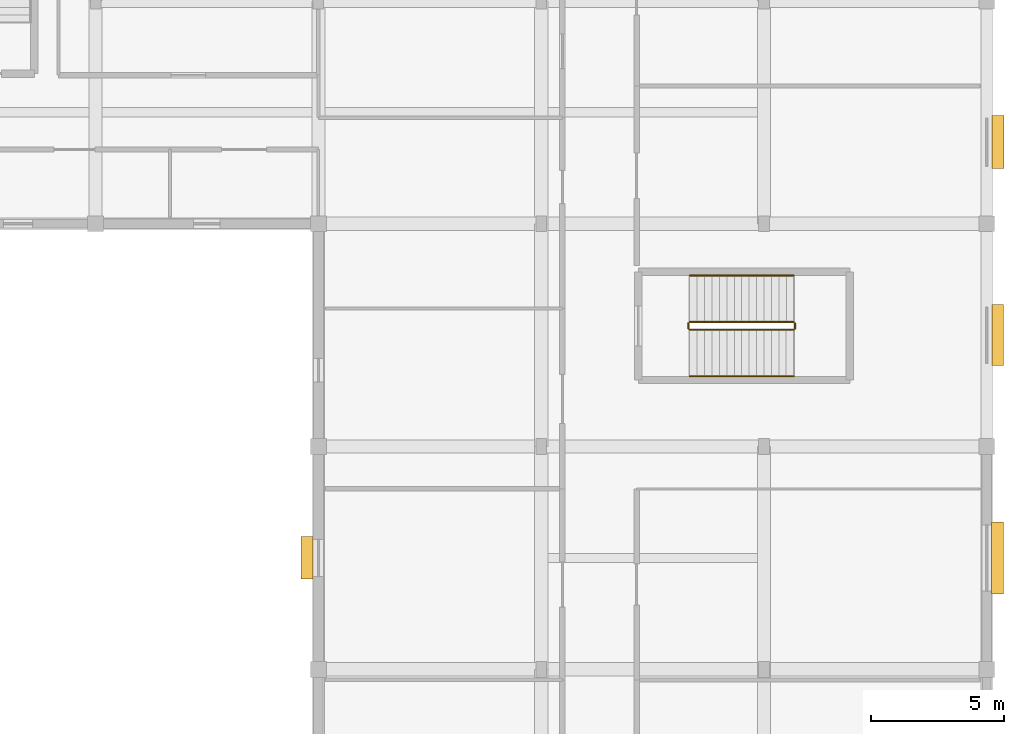
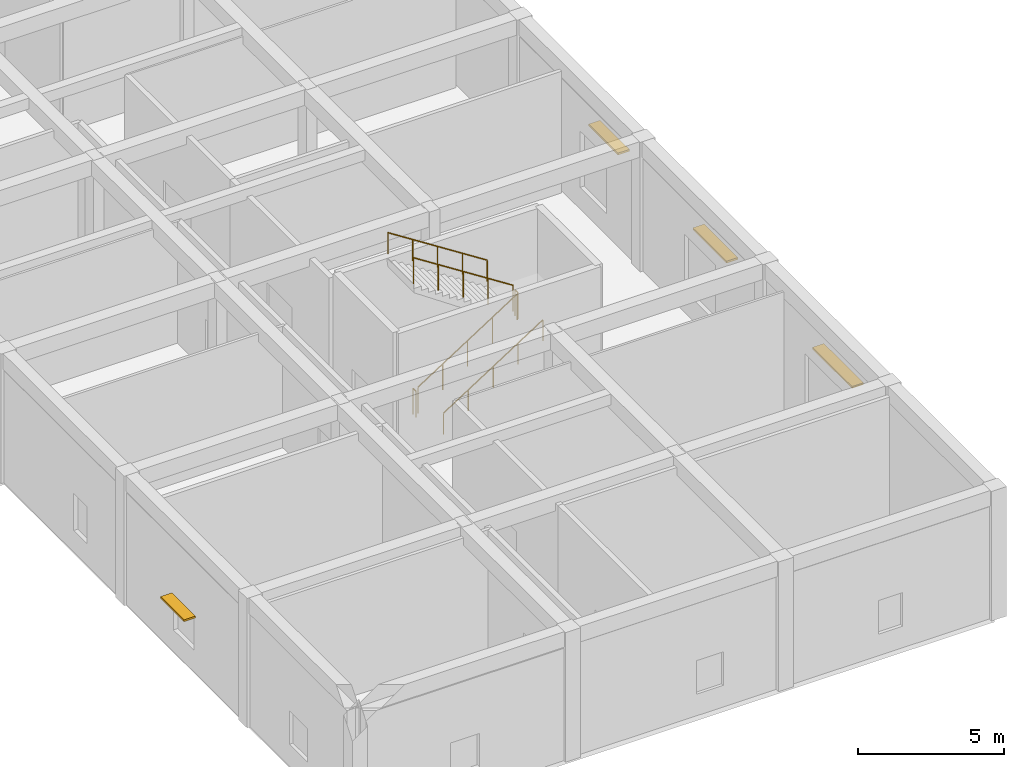
# One storey, part 83 of 89: 6 railings, 4 shading devices.
"""IFC4 building model written with IfcOpenShell, lengths in metres."""

from ifc_helpers import new_model, si_unit, direction, frame, origin, origin_2d, place, context, subcontext, project, spatial, rectangle, circle, extrude, material, layer, layer_set, type_object, element, save


model = new_model("IFC4")

# Units and contexts
model_context = context("Model", 3, precision=1e-05, world=origin(), true_north=direction((0.0, 1.0)))
body_context = subcontext(model_context, "Body", "Model", "MODEL_VIEW")
ifc_project = project(units=[si_unit("LENGTHUNIT", "METRE"), si_unit("AREAUNIT", "SQUARE_METRE"), si_unit("VOLUMEUNIT", "CUBIC_METRE"), si_unit("PLANEANGLEUNIT", "RADIAN"), si_unit("MASSUNIT", "GRAM", prefix="KILO")], contexts=[model_context])

# Site, building, storey
site_placement = place(None, origin())
site = spatial("IfcSite", under=ifc_project, at=site_placement, CompositionType="ELEMENT")
building_placement = place(site_placement, origin())
building = spatial("IfcBuilding", under=site, at=building_placement, Name="Varncliffe General Hospital", CompositionType="ELEMENT")
storey_placement = place(building_placement, frame((0.0, 0.0, 10.800048828125)))
storey = spatial("IfcBuildingStorey", under=building, at=storey_placement, Name="L02", CompositionType="ELEMENT", Elevation=10.800048828125)

# Shading devices
ifc_material_1 = material(Name="Dark bronze extruded aluminium solar jalousie louvres", Category="aluminium")
ifc_layer = layer(ifc_material_1, 0.080078125)
ifc_layer_set = layer_set([ifc_layer], Name="Dark bronze extruded aluminium solar jalousie louvres")
shading_device_type = type_object("IfcShadingDeviceType", Name="Bronze Solar Jalousie Louvre Hood SHD18", PredefinedType="JALOUSIE", material=ifc_layer_set)
shading_device_1_placement = place(storey_placement, frame((176.824951171875, 27.0771484375, 3.260009765625), z_axis=(0.0, 0.0, 1.0), x_axis=(0.0, -1.0, 0.0)))
element("IfcShadingDevice", 1, at=shading_device_1_placement, inside=storey, type_object=shading_device_type, Name="L02 Bronze Window Sun-Shading Louvre 54", PredefinedType="JALOUSIE", context=body_context, shape_type="SweptSolid", body=[
    extrude(rectangle(XDim=2.0, YDim=0.449951171875, at=origin_2d()), origin(), (0.0, 0.0, 1.0), 0.080078125),
])
shading_device_2_placement = place(storey_placement, frame((176.81494140625, 19.800048828125, 3.260009765625), z_axis=(0.0, 0.0, 1.0), x_axis=(0.0, -1.0, 0.0)))
element("IfcShadingDevice", 2, at=shading_device_2_placement, inside=storey, type_object=shading_device_type, Name="L02 Bronze Window Sun-Shading Louvre 55", PredefinedType="JALOUSIE", context=body_context, shape_type="SweptSolid", body=[
    extrude(rectangle(XDim=2.300048828125, YDim=0.449951171875, at=origin_2d()), origin(), (0.0, 0.0, 1.0), 0.080078125),
])
shading_device_3_placement = place(storey_placement, frame((176.800048828125, 11.39990234375, 3.260009765625), z_axis=(0.0, 0.0, 1.0), x_axis=(0.0, -1.0, 0.0)))
element("IfcShadingDevice", 3, at=shading_device_3_placement, inside=storey, type_object=shading_device_type, Name="L02 Bronze Window Sun-Shading Louvre 56", PredefinedType="JALOUSIE", context=body_context, shape_type="SweptSolid", body=[
    extrude(rectangle(XDim=2.699951171875, YDim=0.449951171875, at=origin_2d()), origin(), (0.0, 0.0, 1.0), 0.080078125),
])
shading_device_4_placement = place(storey_placement, frame((150.77490234375, 11.39990234375, 2.309814453125), z_axis=(0.0, 0.0, 1.0), x_axis=(0.0, 1.0, 0.0)))
element("IfcShadingDevice", 4, at=shading_device_4_placement, inside=storey, type_object=shading_device_type, Name="L02 Bronze Window Sun-Shading Louvre 57", PredefinedType="JALOUSIE", context=body_context, shape_type="SweptSolid", body=[
    extrude(rectangle(XDim=1.60009765625, YDim=0.449951171875, at=origin_2d()), origin(), (0.0, 0.0, 1.0), 0.080078125),
])

# Railings
ifc_material_2 = material(Name="Powder-coated hospital steel guardrail and handrail", Category="steel")
railing_type_1 = type_object("IfcRailingType", Name="Stair and Ramp Handrail HR46", PredefinedType="HANDRAIL", material=ifc_material_2)
railing_1_placement = place(storey_placement, frame((165.199951171875, 18.25, 0.364013671875)))
element("IfcRailing", 5, at=railing_1_placement, inside=storey, type_object=railing_type_1, Name="L02 ST11 stair handrail 1", PredefinedType="HANDRAIL", context=body_context, shape_type="SweptSolid", body=[
    extrude(circle(Radius=0.02392578125, at=origin_2d()), frame((0.0, 0.0, 0.8759765625), z_axis=(0.841186985886, 0.0, 0.540744352514), x_axis=(0.0, 1.0, 0.0)), (0.0, 0.0, 1.0), 4.660400390625),
    extrude(circle(Radius=0.02099609375, at=origin_2d()), origin(), (0.0, 0.0, 1.0), 0.851806640625),
    extrude(circle(Radius=0.02099609375, at=origin_2d()), frame((0.97998046875, 0.0, 0.6298828125)), (0.0, 0.0, 1.0), 0.851806640625),
    extrude(circle(Radius=0.02099609375, at=origin_2d()), frame((1.9599609375, 0.0, 1.260009765625)), (0.0, 0.0, 1.0), 0.851806640625),
    extrude(circle(Radius=0.02099609375, at=origin_2d()), frame((2.940185546875, 0.0, 1.89013671875)), (0.0, 0.0, 1.0), 0.851806640625),
    extrude(circle(Radius=0.02099609375, at=origin_2d()), frame((3.920166015625, 0.0, 2.52001953125)), (0.0, 0.0, 1.0), 0.851806640625),
])
railing_2_placement = place(storey_placement, frame((169.1201171875, 22.050048828125, 3.06396484375)))
element("IfcRailing", 6, at=railing_2_placement, inside=storey, type_object=railing_type_1, Name="L02 ST11 stair handrail 2", PredefinedType="HANDRAIL", context=body_context, shape_type="SweptSolid", body=[
    extrude(circle(Radius=0.02392578125, at=origin_2d()), frame((0.0, 0.0, 0.8759765625), z_axis=(-0.841186985886, 0.0, 0.540744352514), x_axis=(0.0, -1.0, 0.0)), (0.0, 0.0, 1.0), 4.660400390625),
    extrude(circle(Radius=0.02099609375, at=origin_2d()), origin(), (0.0, 0.0, 1.0), 0.851806640625),
    extrude(circle(Radius=0.02099609375, at=origin_2d()), frame((-0.97998046875, 0.0, 0.6298828125)), (0.0, 0.0, 1.0), 0.851806640625),
    extrude(circle(Radius=0.02099609375, at=origin_2d()), frame((-1.9599609375, 0.0, 1.260009765625)), (0.0, 0.0, 1.0), 0.851806640625),
    extrude(circle(Radius=0.02099609375, at=origin_2d()), frame((-2.940185546875, 0.0, 1.89013671875)), (0.0, 0.0, 1.0), 0.851806640625),
    extrude(circle(Radius=0.02099609375, at=origin_2d()), frame((-3.920166015625, 0.0, 2.52001953125)), (0.0, 0.0, 1.0), 0.851806640625),
])
railing_type_2 = type_object("IfcRailingType", Name="Stairwell Guardrail SG49", PredefinedType="GUARDRAIL", material=ifc_material_2)
railing_3_placement = place(storey_placement, frame((165.199951171875, 20.0, 0.179931640625)))
element("IfcRailing", 7, at=railing_3_placement, inside=storey, type_object=railing_type_2, Name="L02 ST11 stair guard 1", PredefinedType="GUARDRAIL", context=body_context, shape_type="SweptSolid", body=[
    extrude(circle(Radius=0.02392578125, at=origin_2d()), frame((0.0, 0.0, 1.076171875), z_axis=(0.841186985886, 0.0, 0.540744352514), x_axis=(0.0, 1.0, 0.0)), (0.0, 0.0, 1.0), 4.660400390625),
    extrude(circle(Radius=0.02099609375, at=origin_2d()), origin(), (0.0, 0.0, 1.0), 1.052001953125),
    extrude(circle(Radius=0.02099609375, at=origin_2d()), frame((0.97998046875, 0.0, 0.6298828125)), (0.0, 0.0, 1.0), 1.052001953125),
    extrude(circle(Radius=0.02099609375, at=origin_2d()), frame((1.9599609375, 0.0, 1.260009765625)), (0.0, 0.0, 1.0), 1.052001953125),
    extrude(circle(Radius=0.02099609375, at=origin_2d()), frame((2.940185546875, 0.0, 1.89013671875)), (0.0, 0.0, 1.0), 1.052001953125),
    extrude(circle(Radius=0.02099609375, at=origin_2d()), frame((3.920166015625, 0.0, 2.52001953125)), (0.0, 0.0, 1.0), 1.052001953125),
])
railing_4_placement = place(storey_placement, frame((169.169921875, 20.050048828125, 2.699951171875)))
element("IfcRailing", 8, at=railing_4_placement, inside=storey, type_object=railing_type_2, Name="L02 ST11 stair guard 2", PredefinedType="GUARDRAIL", context=body_context, shape_type="SweptSolid", body=[
    extrude(circle(Radius=0.02392578125, at=origin_2d()), frame((0.0, 0.0, 1.076171875), z_axis=(0.0, 1.0, 0.0), x_axis=(-1.0, 0.0, 0.0)), (0.0, 0.0, 1.0), 0.199951171875),
    extrude(circle(Radius=0.02099609375, at=origin_2d()), origin(), (0.0, 0.0, 1.0), 1.052001953125),
    extrude(circle(Radius=0.02099609375, at=origin_2d()), frame((0.0, 0.199951171875, 0.0)), (0.0, 0.0, 1.0), 1.052001953125),
])
railing_5_placement = place(storey_placement, frame((169.1201171875, 20.300048828125, 2.8798828125)))
element("IfcRailing", 9, at=railing_5_placement, inside=storey, type_object=railing_type_2, Name="L02 ST11 stair guard 3", PredefinedType="GUARDRAIL", context=body_context, shape_type="SweptSolid", body=[
    extrude(circle(Radius=0.02392578125, at=origin_2d()), frame((0.0, 0.0, 1.076171875), z_axis=(-0.841186985886, 0.0, 0.540744352514), x_axis=(0.0, -1.0, 0.0)), (0.0, 0.0, 1.0), 4.660400390625),
    extrude(circle(Radius=0.02099609375, at=origin_2d()), origin(), (0.0, 0.0, 1.0), 1.052001953125),
    extrude(circle(Radius=0.02099609375, at=origin_2d()), frame((-0.97998046875, 0.0, 0.6298828125)), (0.0, 0.0, 1.0), 1.052001953125),
    extrude(circle(Radius=0.02099609375, at=origin_2d()), frame((-1.9599609375, 0.0, 1.260009765625)), (0.0, 0.0, 1.0), 1.052001953125),
    extrude(circle(Radius=0.02099609375, at=origin_2d()), frame((-2.940185546875, 0.0, 1.89013671875)), (0.0, 0.0, 1.0), 1.052001953125),
    extrude(circle(Radius=0.02099609375, at=origin_2d()), frame((-3.920166015625, 0.0, 2.52001953125)), (0.0, 0.0, 1.0), 1.052001953125),
])
railing_6_placement = place(storey_placement, frame((165.14990234375, 20.050048828125, 0.0)))
element("IfcRailing", 10, at=railing_6_placement, inside=storey, type_object=railing_type_2, Name="L02 ST11 stair guard 4", PredefinedType="GUARDRAIL", context=body_context, shape_type="SweptSolid", body=[
    extrude(circle(Radius=0.02392578125, at=origin_2d()), frame((0.0, 0.0, 1.076171875), z_axis=(0.0, 1.0, 0.0), x_axis=(-1.0, 0.0, 0.0)), (0.0, 0.0, 1.0), 0.199951171875),
    extrude(circle(Radius=0.02099609375, at=origin_2d()), origin(), (0.0, 0.0, 1.0), 1.052001953125),
    extrude(circle(Radius=0.02099609375, at=origin_2d()), frame((0.0, 0.199951171875, 0.0)), (0.0, 0.0, 1.0), 1.052001953125),
])

save(model, "model.ifc")
